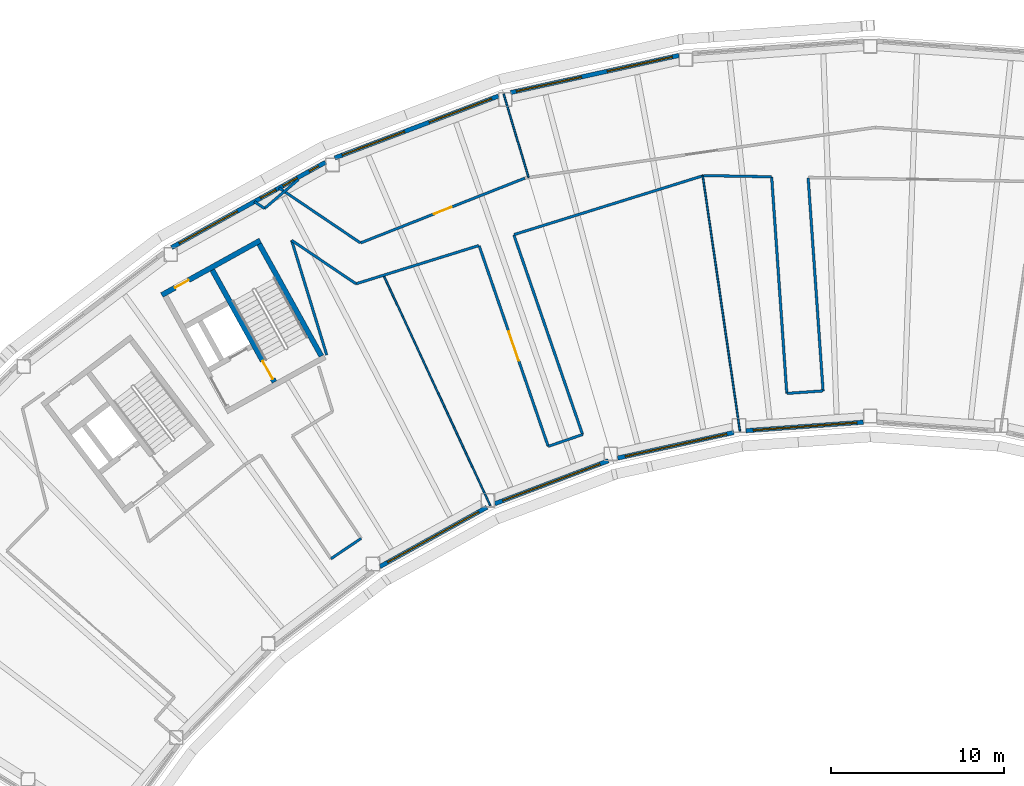
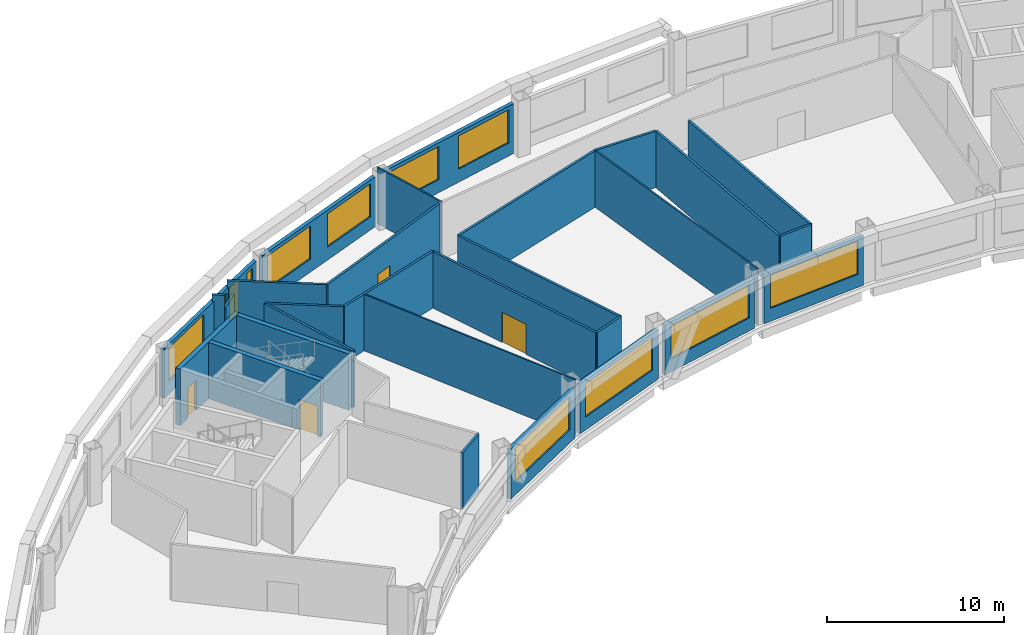
# One storey, part 6 of 13: 29 walls, 12 windows, 4 doors, 16 openings.
"""IFC4 building model written with IfcOpenShell, lengths in metres."""

import ifcopenshell
import ifcopenshell.guid

model = None  # the IFC model being written
_history = None  # IfcOwnerHistory: only IFC2X3 demands one
_inside = {}  # id of a spatial element -> (the spatial element, [elements in it])
_under = {}  # id of a project, library or spatial element -> (it, [spatial elements below it])
_declared = {}  # id of a project -> (the project, [libraries it declares])
_typed = {}  # id of a type object -> (the type object, [elements of that type])
_made_of = {}  # id of a material, layer set ... -> (it, [elements and type objects made of it])


def new_model(schema):
    """Start an empty IFC model of exactly this schema.

    Asked for "IFC4X3", IfcOpenShell would pick the latest addendum, in which some entities
    have other attributes; the version numbers below select the first issue.
    IFC2X3 requires an IfcOwnerHistory on every rooted entity: one is made here for all.
    """
    global model, _history
    if schema == "IFC4X3":
        model = ifcopenshell.file(schema_version=(4, 3, 0, 0))
    else:
        model = ifcopenshell.file(schema=schema)
    _inside.clear()
    _under.clear()
    _declared.clear()
    _typed.clear()
    _made_of.clear()
    _history = None
    if model.schema == "IFC2X3":
        org = make("IfcOrganization", Name="unknown")
        user = make(
            "IfcPersonAndOrganization",
            ThePerson=make("IfcPerson", FamilyName="unknown"),
            TheOrganization=org,
        )
        app = make(
            "IfcApplication",
            ApplicationDeveloper=org,
            Version="unknown",
            ApplicationFullName="unknown",
            ApplicationIdentifier="unknown",
        )
        _history = make(
            "IfcOwnerHistory",
            OwningUser=user,
            OwningApplication=app,
            ChangeAction="ADDED",
            CreationDate=0,
        )
    return model


def make(cls, **values):
    """One entity of the class cls with the attributes given. An attribute that is None is left unset."""
    return model.create_entity(
        cls, **{name: value for name, value in values.items() if value is not None}
    )


def rooted(cls, **values):
    """An entity with a GlobalId (a new one), such as an element, a storey or a relation."""
    return make(cls, GlobalId=ifcopenshell.guid.new(), OwnerHistory=_history, **values)


def si_unit(unit_type, name, prefix=None):
    """IfcSIUnit, for example si_unit("LENGTHUNIT", "METRE", prefix="MILLI")."""
    return make("IfcSIUnit", UnitType=unit_type, Prefix=prefix, Name=name)


def assignment(units):
    """IfcUnitAssignment: the units of a project."""
    return None if units is None else make("IfcUnitAssignment", Units=units)


def point(xyz):
    """IfcCartesianPoint."""
    return None if xyz is None else make("IfcCartesianPoint", Coordinates=xyz)


def direction(xyz):
    """IfcDirection."""
    return None if xyz is None else make("IfcDirection", DirectionRatios=xyz)


def frame(location, z_axis=None, x_axis=None):
    """IfcAxis2Placement3D, a coordinate frame: its origin and axes. An axis left out is left unset."""
    return make(
        "IfcAxis2Placement3D",
        Location=point(location),
        Axis=direction(z_axis),
        RefDirection=direction(x_axis),
    )


def frame_2d(location, x_axis=None):
    """IfcAxis2Placement2D, a coordinate frame in the plane: its origin and x axis."""
    return make(
        "IfcAxis2Placement2D", Location=point(location), RefDirection=direction(x_axis)
    )


def origin():
    """The frame at (0, 0, 0) with its axes left unset."""
    return frame((0.0, 0.0, 0.0))


def place(relative_to, where):
    """IfcLocalPlacement: puts the frame where relative to a parent placement (None: the world)."""
    return make(
        "IfcLocalPlacement", PlacementRelTo=relative_to, RelativePlacement=where
    )


def context(
    kind, dimensions, precision=None, world=None, true_north=None, identifier=None
):
    """IfcGeometricRepresentationContext, for example the 3D "Model" context."""
    return make(
        "IfcGeometricRepresentationContext",
        ContextIdentifier=identifier,
        ContextType=kind,
        CoordinateSpaceDimension=dimensions,
        Precision=precision,
        WorldCoordinateSystem=world,
        TrueNorth=true_north,
    )


def subcontext(parent, identifier, kind, view, scale=None):
    """IfcGeometricRepresentationSubContext, for example "Body" below "Model"."""
    return make(
        "IfcGeometricRepresentationSubContext",
        ContextIdentifier=identifier,
        ContextType=kind,
        ParentContext=parent,
        TargetScale=scale,
        TargetView=view,
    )


def project(units=None, contexts=None):
    """IfcProject with its units and contexts."""
    return rooted(
        "IfcProject",
        Name="project",
        RepresentationContexts=contexts,
        UnitsInContext=assignment(units),
    )


def spatial(cls, under=None, at=None, **own):
    """A site, building, storey or space (cls), placed at a placement, below another one or the project."""
    s = rooted(cls, ObjectPlacement=at, **own)
    if under is not None:
        _under.setdefault(under.id(), (under, []))[1].append(s)
    return s


def profile(cls, at=None, kind="AREA", **sizes):
    """A parametric profile (cls). Its sizes go by their IFC names, for example OverallWidth=200.0."""
    return make(cls, ProfileType=kind, Position=at, **sizes)


def rectangle(**sizes):
    """IfcRectangleProfileDef."""
    return profile("IfcRectangleProfileDef", **sizes)


def extrude(swept, where, along, depth):
    """IfcExtrudedAreaSolid: the profile swept, set in the frame where, extruded along a direction by depth."""
    return make(
        "IfcExtrudedAreaSolid",
        SweptArea=swept,
        Position=where,
        ExtrudedDirection=direction(along),
        Depth=depth,
    )


def shape(context_of_items, identifier, shape_type, items):
    """IfcShapeRepresentation: the items that make up one representation, for example the "Body"."""
    return make(
        "IfcShapeRepresentation",
        ContextOfItems=context_of_items,
        RepresentationIdentifier=identifier,
        RepresentationType=shape_type,
        Items=items,
    )


def material(Name=None, Category=None):
    """IfcMaterial."""
    return make("IfcMaterial", Name=Name, Category=Category)


def layer(
    of_material, thickness, ventilated=None, Name=None, Category=None, Priority=None
):
    """IfcMaterialLayer: one layer of a wall or slab, of a material (None: an air gap)."""
    return make(
        "IfcMaterialLayer",
        Material=of_material,
        LayerThickness=thickness,
        IsVentilated=ventilated,
        Name=Name,
        Category=Category,
        Priority=Priority,
    )


def layer_set(layers, Name=None):
    """IfcMaterialLayerSet."""
    return make("IfcMaterialLayerSet", MaterialLayers=layers, LayerSetName=Name)


def made_of(thing, what):
    """Note that an element or type object is made of a material, layer set ...; save() writes the relation."""
    if what is not None:
        _made_of.setdefault(what.id(), (what, []))[1].append(thing)
    return thing


def type_object(cls, material=None, **own):
    """A type object (cls), such as IfcWallType, which elements share."""
    return made_of(rooted(cls, **own), material)


def element(
    cls,
    number,
    at=None,
    inside=None,
    cuts=None,
    type_object=None,
    material=None,
    context=None,
    identifier="Body",
    shape_type=None,
    held_by="IfcProductDefinitionShape",
    body=None,
    shapes=None,
    **own,
):
    """One element of the class cls, such as IfcWall. Its Tag is "e" and its number.

    at: its placement. inside: the storey or other place that contains it. cuts: it is an
    opening in that element (IfcRelVoidsElement). A single representation is given by context,
    identifier, shape_type and body (its items); several are given by shapes. held_by: the class
    of the entity that holds the representations. save() writes the other relations.
    """
    e = rooted(cls, Tag="e%d" % number, ObjectPlacement=at, **own)
    if body is not None:
        shapes = [shape(context, identifier, shape_type, body)]
    if shapes is not None:
        e.Representation = make(held_by, Representations=shapes)
    if inside is not None:
        _inside.setdefault(inside.id(), (inside, []))[1].append(e)
    if cuts is not None:
        rooted(
            "IfcRelVoidsElement", RelatingBuildingElement=cuts, RelatedOpeningElement=e
        )
    if type_object is not None:
        _typed.setdefault(type_object.id(), (type_object, []))[1].append(e)
    return made_of(e, material)


def fill(opening, filler):
    """IfcRelFillsElement: the door or window that sits in an opening."""
    return rooted(
        "IfcRelFillsElement",
        RelatingOpeningElement=opening,
        RelatedBuildingElement=filler,
    )


def aggregate(whole, parts):
    """IfcRelAggregates: a whole, such as a stair, and the parts it consists of."""
    return rooted("IfcRelAggregates", RelatingObject=whole, RelatedObjects=parts)


def save(model, path):
    """Write the relations noted so far, then the file.

    IfcRelAggregates (storeys below a building ...), IfcRelContainedInSpatialStructure (elements
    in a storey), IfcRelDefinesByType, IfcRelAssociatesMaterial and IfcRelDeclares: one each for
    every whole, place, type object, material and project.
    """
    for whole, parts in _under.values():
        aggregate(whole, parts)
    for where, things in _inside.values():
        rooted(
            "IfcRelContainedInSpatialStructure",
            RelatedElements=things,
            RelatingStructure=where,
        )
    for kind, things in _typed.values():
        rooted("IfcRelDefinesByType", RelatedObjects=things, RelatingType=kind)
    for what, things in _made_of.values():
        rooted("IfcRelAssociatesMaterial", RelatedObjects=things, RelatingMaterial=what)
    for by, libraries in _declared.values():
        rooted("IfcRelDeclares", RelatingContext=by, RelatedDefinitions=libraries)
    model.write(path)


model = new_model("IFC4")

# Units and contexts
model_context = context("Model", 3, precision=1e-05, world=origin(), true_north=direction((0.0, 1.0)))
body_context = subcontext(model_context, "Body", "Model", "MODEL_VIEW")
ifc_project = project(units=[si_unit("LENGTHUNIT", "METRE"), si_unit("AREAUNIT", "SQUARE_METRE"), si_unit("VOLUMEUNIT", "CUBIC_METRE"), si_unit("PLANEANGLEUNIT", "RADIAN"), si_unit("MASSUNIT", "GRAM", prefix="KILO")], contexts=[model_context])

# Site, building, storey
site_placement = place(None, origin())
site = spatial("IfcSite", under=ifc_project, at=site_placement, CompositionType="ELEMENT")
building_placement = place(site_placement, origin())
building = spatial("IfcBuilding", under=site, at=building_placement, Name="Tuul Gate Civic Tower", CompositionType="ELEMENT")
storey_placement = place(building_placement, frame((0.0, 0.0, 306.800048828125)))
storey = spatial("IfcBuildingStorey", under=building, at=storey_placement, Name="Level 69", CompositionType="ELEMENT", Elevation=306.800048828125)

# Wall, opening, door
ifc_material_1 = material(Name="Concrete C50/60", Category="concrete")
ifc_layer_1 = layer(ifc_material_1, 0.300048828125)
ifc_layer_set_1 = layer_set([ifc_layer_1], Name="Concrete C50/60")
wall_type_1 = type_object("IfcWallType", Name="Core wall C50/60", PredefinedType="SHEAR", material=ifc_layer_set_1)
wall_1_placement = place(storey_placement, frame((-28.4443359375, -1.98095703125, 0.0), z_axis=(0.0, 0.0, 1.0), x_axis=(-0.874629909008, -0.484791215132, 0.0)))
wall_1 = element("IfcWall", 1, at=wall_1_placement, inside=storey, type_object=wall_type_1, Name="Core wall", PredefinedType="SHEAR", context=body_context, shape_type="SweptSolid", body=[
    extrude(rectangle(XDim=6.5, YDim=0.300048828125, at=frame_2d((3.25, 0.0))), origin(), (0.0, 0.0, 1.0), 3.89990234375),
])
opening_1_placement = place(wall_1_placement, frame((4.72509765625, 0.0, 0.0)))
opening_1 = element("IfcOpeningElement", 2, at=opening_1_placement, cuts=wall_1, Name="Opening Z-D15", PredefinedType="OPENING", context=body_context, shape_type="SweptSolid", body=[
    extrude(rectangle(XDim=0.89990234375, YDim=2.10009765625, at=frame_2d((0.449951171875, 1.050048828125))), frame((0.0, 0.16015625, 0.0), z_axis=(0.0, -1.0, 0.0), x_axis=(1.0, 0.0, 0.0)), (0.0, 0.0, 1.0), 0.320068359375),
])
ifc_material_2 = material(Name="Timber door leaf", Category="wood")
door_type_1 = type_object("IfcDoorType", Name="Door D09", OperationType="NOTDEFINED", PredefinedType="DOOR", material=ifc_material_2)
door_1_placement = place(opening_1_placement, origin())
door_1 = element("IfcDoor", 3, at=door_1_placement, inside=storey, type_object=door_type_1, Name="Door Z-D15", OperationType="SINGLE_SWING_LEFT", OverallHeight=2.10009765625, OverallWidth=0.89990234375, PredefinedType="DOOR", context=body_context, shape_type="SweptSolid", body=[
    extrude(rectangle(XDim=0.89990234375, YDim=2.10009765625, at=frame_2d((0.449951171875, 1.050048828125))), frame((0.0, 0.02490234375, 0.0), z_axis=(0.0, -1.0, 0.0), x_axis=(1.0, 0.0, 0.0)), (0.0, 0.0, 1.0), 0.050048828125),
])
fill(opening_1, door_1)

# Wall
wall_2_placement = place(storey_placement, frame((-24.91552734375, -8.6572265625, 0.0), z_axis=(0.0, 0.0, 1.0), x_axis=(-0.484777133038, 0.874637714304, 0.0)))
element("IfcWall", 4, at=wall_2_placement, inside=storey, type_object=wall_type_1, Name="Core wall", PredefinedType="SHEAR", context=body_context, shape_type="SweptSolid", body=[
    extrude(rectangle(XDim=7.400146484375, YDim=0.300048828125, at=frame_2d((3.7001953125, 0.0))), origin(), (0.0, 0.0, 1.0), 3.89990234375),
])

# Wall, opening, door
wall_3_placement = place(storey_placement, frame((-27.626953125, -10.16015625, 0.0), z_axis=(0.0, 0.0, 1.0), x_axis=(-0.484751894226, 0.874651702704, 0.0)))
wall_3 = element("IfcWall", 5, at=wall_3_placement, inside=storey, type_object=wall_type_1, Name="Core wall", PredefinedType="SHEAR", context=body_context, shape_type="SweptSolid", body=[
    extrude(rectangle(XDim=7.39990234375, YDim=0.300048828125, at=frame_2d((3.699951171875, 0.0))), origin(), (0.0, 0.0, 1.0), 3.89990234375),
])
opening_2_placement = place(wall_3_placement, frame((0.199951171875, 0.0, 0.0)))
opening_2 = element("IfcOpeningElement", 6, at=opening_2_placement, cuts=wall_3, Name="Opening SD-ST-2", PredefinedType="OPENING", context=body_context, shape_type="SweptSolid", body=[
    extrude(rectangle(XDim=1.199951171875, YDim=2.10009765625, at=frame_2d((0.60009765625, 1.050048828125))), frame((0.0, 0.16015625, 0.0), z_axis=(0.0, -1.0, 0.0), x_axis=(1.0, 0.0, 0.0)), (0.0, 0.0, 1.0), 0.320068359375),
])
ifc_material_3 = material(Name="Steel", Category="steel")
door_type_2 = type_object("IfcDoorType", Name="Stair door", OperationType="NOTDEFINED", PredefinedType="DOOR", material=ifc_material_3)
door_2_placement = place(opening_2_placement, origin())
door_2 = element("IfcDoor", 7, at=door_2_placement, inside=storey, type_object=door_type_2, Name="Stair door ST-2", OperationType="SINGLE_SWING_LEFT", OverallHeight=2.10009765625, OverallWidth=1.199951171875, PredefinedType="DOOR", context=body_context, shape_type="SweptSolid", body=[
    extrude(rectangle(XDim=1.199951171875, YDim=2.10009765625, at=frame_2d((0.60009765625, 1.050048828125))), frame((0.0, 0.02490234375, 0.0), z_axis=(0.0, -1.0, 0.0), x_axis=(1.0, 0.0, 0.0)), (0.0, 0.0, 1.0), 0.050048828125),
])
fill(opening_2, door_2)

ifc_material_4 = material(Name="Gypsum board partition")
ifc_layer_2 = layer(ifc_material_4, 0.14990234375)
ifc_layer_set_2 = layer_set([ifc_layer_2], Name="Gypsum board partition")
wall_type_2 = type_object("IfcWallType", Name="Corridor wall P150", PredefinedType="PARTITIONING", material=ifc_layer_set_2)
wall_4_placement = place(storey_placement, frame((-22.64990234375, -2.122802734375, 0.0), z_axis=(0.0, 0.0, 1.0), x_axis=(0.930310979709, 0.366771701515, 0.0)))
wall_4 = element("IfcWall", 8, at=wall_4_placement, inside=storey, type_object=wall_type_2, Name="p020", PredefinedType="PARTITIONING", context=body_context, shape_type="SweptSolid", body=[
    extrude(rectangle(XDim=10.207763671875, YDim=0.14990234375, at=frame_2d((5.10400390625, 0.0))), origin(), (0.0, 0.0, 1.0), 3.89990234375),
])
opening_3_placement = place(wall_4_placement, frame((4.5537109375, 0.0, 0.0)))
opening_3 = element("IfcOpeningElement", 9, at=opening_3_placement, cuts=wall_4, Name="Opening Z-D04", PredefinedType="OPENING", context=body_context, shape_type="SweptSolid", body=[
    extrude(rectangle(XDim=1.10009765625, YDim=2.10009765625, at=frame_2d((0.550048828125, 1.050048828125))), frame((0.0, 0.0849609375, 0.0), z_axis=(0.0, -1.0, 0.0), x_axis=(1.0, 0.0, 0.0)), (0.0, 0.0, 1.0), 0.169921875),
])
ifc_material_5 = material(Name="Timber door leaf", Category="wood")
door_type_3 = type_object("IfcDoorType", Name="Door D11", OperationType="NOTDEFINED", PredefinedType="DOOR", material=ifc_material_5)
door_3_placement = place(opening_3_placement, origin())
door_3 = element("IfcDoor", 10, at=door_3_placement, inside=storey, type_object=door_type_3, Name="Door Z-D04", OperationType="SINGLE_SWING_RIGHT", OverallHeight=2.10009765625, OverallWidth=1.10009765625, PredefinedType="DOOR", context=body_context, shape_type="SweptSolid", body=[
    extrude(rectangle(XDim=1.10009765625, YDim=2.10009765625, at=frame_2d((0.550048828125, 1.050048828125))), frame((0.0, 0.02490234375, 0.0), z_axis=(0.0, -1.0, 0.0), x_axis=(1.0, 0.0, 0.0)), (0.0, 0.0, 1.0), 0.050048828125),
])
fill(opening_3, door_3)

# Walls
wall_5_placement = place(storey_placement, frame((-27.357421875, 1.0546875, 0.0), z_axis=(0.0, 0.0, 1.0), x_axis=(0.828352810299, -0.56020676689, 0.0)))
element("IfcWall", 11, at=wall_5_placement, inside=storey, type_object=wall_type_2, Name="p021", PredefinedType="PARTITIONING", context=body_context, shape_type="SweptSolid", body=[
    extrude(rectangle(XDim=5.666015625, YDim=0.14990234375, at=frame_2d((2.8330078125, 0.0))), origin(), (0.0, 0.0, 1.0), 3.89990234375),
])
wall_6_placement = place(storey_placement, frame((-28.78466796875, 0.263427734375, 0.0), z_axis=(0.0, 0.0, 1.0), x_axis=(0.828259849194, -0.560344199767, 0.0)))
element("IfcWall", 12, at=wall_6_placement, inside=storey, type_object=wall_type_2, Name="p023", PredefinedType="PARTITIONING", context=body_context, shape_type="SweptSolid", body=[
    extrude(rectangle(XDim=0.70703125, YDim=0.14990234375, at=frame_2d((0.353515625, 0.0))), origin(), (0.0, 0.0, 1.0), 3.89990234375),
])
wall_7_placement = place(storey_placement, frame((-2.833740234375, 1.76611328125, 0.0), z_axis=(0.0, 0.0, 1.0), x_axis=(0.999840599345, -0.017854296417, 0.0)))
element("IfcWall", 13, at=wall_7_placement, inside=storey, type_object=wall_type_2, Name="p037", PredefinedType="PARTITIONING", context=body_context, shape_type="SweptSolid", body=[
    extrude(rectangle(XDim=3.910888671875, YDim=0.14990234375, at=frame_2d((1.95556640625, 0.0))), origin(), (0.0, 0.0, 1.0), 3.89990234375),
])
wall_8_placement = place(storey_placement, frame((-22.914306640625, -4.485107421875, 0.0), z_axis=(0.0, 0.0, 1.0), x_axis=(0.95478316179, 0.29730306753, 0.0)))
element("IfcWall", 14, at=wall_8_placement, inside=storey, type_object=wall_type_2, Name="p046", PredefinedType="PARTITIONING", context=body_context, shape_type="SweptSolid", body=[
    extrude(rectangle(XDim=7.42431640625, YDim=0.14990234375, at=frame_2d((3.712158203125, 0.0))), origin(), (0.0, 0.0, 1.0), 3.89990234375),
])
wall_9_placement = place(storey_placement, frame((-13.780517578125, -1.64111328125, 0.0), z_axis=(0.0, 0.0, 1.0), x_axis=(0.954785829925, 0.29729449873, 0.0)))
element("IfcWall", 15, at=wall_9_placement, inside=storey, type_object=wall_type_2, Name="p047", PredefinedType="PARTITIONING", context=body_context, shape_type="SweptSolid", body=[
    extrude(rectangle(XDim=11.45751953125, YDim=0.14990234375, at=frame_2d((5.728759765625, 0.0))), origin(), (0.0, 0.0, 1.0), 3.89990234375),
])
wall_10_placement = place(storey_placement, frame((1.096435546875, 1.67724609375, 0.0), z_axis=(0.0, 0.0, 1.0), x_axis=(0.069752110832, -0.997564355335, 0.0)))
element("IfcWall", 16, at=wall_10_placement, inside=storey, type_object=wall_type_2, Name="p048", PredefinedType="PARTITIONING", context=body_context, shape_type="SweptSolid", body=[
    extrude(rectangle(XDim=12.5234375, YDim=0.14990234375, at=frame_2d((6.26171875, 0.0))), origin(), (0.0, 0.0, 1.0), 3.89990234375),
])
wall_11_placement = place(storey_placement, frame((1.970703125, -10.81640625, 0.0), z_axis=(0.0, 0.0, 1.0), x_axis=(0.997560992634, 0.069800186073, 0.0)))
element("IfcWall", 17, at=wall_11_placement, inside=storey, type_object=wall_type_2, Name="p049", PredefinedType="PARTITIONING", context=body_context, shape_type="SweptSolid", body=[
    extrude(rectangle(XDim=2.0986328125, YDim=0.14990234375, at=frame_2d((1.04931640625, 0.0))), origin(), (0.0, 0.0, 1.0), 3.89990234375),
])
wall_12_placement = place(storey_placement, frame((3.204345703125, 1.635986328125, 0.0), z_axis=(0.0, 0.0, 1.0), x_axis=(0.069767283292, -0.997563294324, 0.0)))
element("IfcWall", 18, at=wall_12_placement, inside=storey, type_object=wall_type_2, Name="p050", PredefinedType="PARTITIONING", context=body_context, shape_type="SweptSolid", body=[
    extrude(rectangle(XDim=12.335205078125, YDim=0.14990234375, at=frame_2d((6.16748046875, 0.0))), origin(), (0.0, 0.0, 1.0), 3.89990234375),
])

# Wall, opening, door
wall_13_placement = place(storey_placement, frame((-15.800048828125, -2.290771484375, 0.0), z_axis=(0.0, 0.0, 1.0), x_axis=(0.325574272281, -0.945516469041, 0.0)))
wall_13 = element("IfcWall", 19, at=wall_13_placement, inside=storey, type_object=wall_type_2, Name="p052", PredefinedType="PARTITIONING", context=body_context, shape_type="SweptSolid", body=[
    extrude(rectangle(XDim=12.25146484375, YDim=0.14990234375, at=frame_2d((6.125732421875, 0.0))), origin(), (0.0, 0.0, 1.0), 3.89990234375),
])
opening_4_placement = place(wall_13_placement, frame((5.225830078125, 0.0, 0.0)))
opening_4 = element("IfcOpeningElement", 20, at=opening_4_placement, cuts=wall_13, Name="Opening Z-D09", PredefinedType="OPENING", context=body_context, shape_type="SweptSolid", body=[
    extrude(rectangle(XDim=1.800048828125, YDim=2.10009765625, at=frame_2d((0.89990234375, 1.050048828125))), frame((0.0, 0.0849609375, 0.0), z_axis=(0.0, -1.0, 0.0), x_axis=(1.0, 0.0, 0.0)), (0.0, 0.0, 1.0), 0.169921875),
])
ifc_material_6 = material(Name="Timber door leaf, double", Category="wood")
door_type_4 = type_object("IfcDoorType", Name="Door D18", OperationType="DOUBLE_DOOR_SINGLE_SWING", PredefinedType="DOOR", material=ifc_material_6)
door_4_placement = place(opening_4_placement, frame((1.800048828125, 0.0, 0.0), z_axis=(0.0, 0.0, 1.0), x_axis=(-1.0, 0.0, 0.0)))
door_4 = element("IfcDoor", 21, at=door_4_placement, inside=storey, type_object=door_type_4, Name="Door Z-D09", OperationType="DOUBLE_DOOR_SINGLE_SWING", OverallHeight=2.10009765625, OverallWidth=1.800048828125, PredefinedType="DOOR", context=body_context, shape_type="SweptSolid", body=[
    extrude(rectangle(XDim=1.800048828125, YDim=2.10009765625, at=frame_2d((0.900146484375, 1.050048828125))), frame((0.0, 0.02490234375, 0.0), z_axis=(0.0, -1.0, 0.0), x_axis=(1.0, 0.0, 0.0)), (0.0, 0.0, 1.0), 0.050048828125),
])
fill(opening_4, door_4)

# Walls
wall_14_placement = place(storey_placement, frame((-11.810546875, -13.875244140625, 0.0), z_axis=(0.0, 0.0, 1.0), x_axis=(0.945531128313, 0.325531696446, 0.0)))
element("IfcWall", 22, at=wall_14_placement, inside=storey, type_object=wall_type_2, Name="p053", PredefinedType="PARTITIONING", context=body_context, shape_type="SweptSolid", body=[
    extrude(rectangle(XDim=2.098388671875, YDim=0.14990234375, at=frame_2d((1.04931640625, 0.0))), origin(), (0.0, 0.0, 1.0), 3.89990234375),
])
wall_15_placement = place(storey_placement, frame((-13.793701171875, -1.667236328125, 0.0), z_axis=(0.0, 0.0, 1.0), x_axis=(0.325569014001, -0.945518279634, 0.0)))
element("IfcWall", 23, at=wall_15_placement, inside=storey, type_object=wall_type_2, Name="p054", PredefinedType="PARTITIONING", context=body_context, shape_type="SweptSolid", body=[
    extrude(rectangle(XDim=12.18798828125, YDim=0.14990234375, at=frame_2d((6.093994140625, 0.0))), origin(), (0.0, 0.0, 1.0), 3.89990234375),
])
wall_16_placement = place(storey_placement, frame((-24.359375, -20.3662109375, 0.0), z_axis=(0.0, 0.0, 1.0), x_axis=(0.829033273432, 0.559199277129, 0.0)))
element("IfcWall", 24, at=wall_16_placement, inside=storey, type_object=wall_type_2, Name="p061", PredefinedType="PARTITIONING", context=body_context, shape_type="SweptSolid", body=[
    extrude(rectangle(XDim=2.10009765625, YDim=0.14990234375, at=frame_2d((1.050048828125, 0.0))), origin(), (0.0, 0.0, 1.0), 3.89990234375),
])
wall_17_placement = place(storey_placement, frame((-26.630615234375, -1.971923828125, 0.0), z_axis=(0.0, 0.0, 1.0), x_axis=(0.292375127698, -0.956303709448, 0.0)))
element("IfcWall", 25, at=wall_17_placement, inside=storey, type_object=wall_type_2, Name="p064", PredefinedType="PARTITIONING", context=body_context, shape_type="SweptSolid", body=[
    extrude(rectangle(XDim=6.931640625, YDim=0.14990234375, at=frame_2d((3.4658203125, 0.0))), origin(), (0.0, 0.0, 1.0), 3.89990234375),
])
wall_18_placement = place(storey_placement, frame((-26.630615234375, -1.971923828125, 0.0), z_axis=(0.0, 0.0, 1.0), x_axis=(0.828348035042, -0.560213827785, 0.0)))
element("IfcWall", 26, at=wall_18_placement, inside=storey, type_object=wall_type_2, Name="p065", PredefinedType="PARTITIONING", context=body_context, shape_type="SweptSolid", body=[
    extrude(rectangle(XDim=4.486083984375, YDim=0.14990234375, at=frame_2d((2.2431640625, 0.0))), origin(), (0.0, 0.0, 1.0), 3.89990234375),
])
ifc_material_7 = material(Name="Gypsum board partition")
ifc_layer_3 = layer(ifc_material_7, 0.14990234375)
ifc_layer_set_3 = layer_set([ifc_layer_3], Name="Gypsum board partition")
wall_type_3 = type_object("IfcWallType", Name="Corridor wall P150 3000 HIGH", PredefinedType="PARTITIONING", material=ifc_layer_set_3)
wall_19_placement = place(storey_placement, frame((-28.198974609375, -0.1328125, 0.0), z_axis=(0.0, 0.0, 1.0), x_axis=(0.760617168341, 0.64920068024, 0.0)))
element("IfcWall", 27, at=wall_19_placement, inside=storey, type_object=wall_type_3, Name="p022", PredefinedType="PARTITIONING", context=body_context, shape_type="SweptSolid", body=[
    extrude(rectangle(XDim=2.568115234375, YDim=0.14990234375, at=frame_2d((1.2841796875, 0.0))), origin(), (0.0, 0.0, 1.0), 3.0),
])

# Wall, openings, windows
ifc_material_8 = material(Name="Precast concrete C40/50", Category="concrete")
ifc_layer_4 = layer(ifc_material_8, 0.25)
ifc_layer_set_4 = layer_set([ifc_layer_4], Name="Precast concrete C40/50")
wall_type_4 = type_object("IfcWallType", Name="External wall", PredefinedType="STANDARD", material=ifc_layer_set_4)
wall_20_placement = place(storey_placement, frame((-4.260986328125, 8.705078125, 0.0), z_axis=(0.0, 0.0, 1.0), x_axis=(-0.976568573814, -0.215206460496, 0.0)))
wall_20 = element("IfcWall", 28, at=wall_20_placement, inside=storey, type_object=wall_type_4, Name="External wall", PredefinedType="STANDARD", context=body_context, shape_type="SweptSolid", body=[
    extrude(rectangle(XDim=9.958251953125, YDim=0.25, at=frame_2d((4.97900390625, 0.0))), origin(), (0.0, 0.0, 1.0), 3.449951171875),
])
opening_5_placement = place(wall_20_placement, frame((0.39013671875, 0.0, 0.89990234375)))
opening_5 = element("IfcOpeningElement", 29, at=opening_5_placement, cuts=wall_20, Name="Opening W22", PredefinedType="OPENING", context=body_context, shape_type="SweptSolid", body=[
    extrude(rectangle(XDim=3.85009765625, YDim=2.300048828125, at=frame_2d((1.925048828125, 1.14990234375))), frame((0.0, 0.135009765625, 0.0), z_axis=(0.0, -1.0, 0.0), x_axis=(1.0, 0.0, 0.0)), (0.0, 0.0, 1.0), 0.27001953125),
])
opening_6_placement = place(wall_20_placement, frame((5.761474609375, 0.0, 0.89990234375)))
opening_6 = element("IfcOpeningElement", 30, at=opening_6_placement, cuts=wall_20, Name="Opening W22", PredefinedType="OPENING", context=body_context, shape_type="SweptSolid", body=[
    extrude(rectangle(XDim=3.85009765625, YDim=2.300048828125, at=frame_2d((1.925048828125, 1.14990234375))), frame((0.0, 0.135009765625, 0.0), z_axis=(0.0, -1.0, 0.0), x_axis=(1.0, 0.0, 0.0)), (0.0, 0.0, 1.0), 0.27001953125),
])
ifc_material_9 = material(Name="Glass", Category="glass")
window_type_1 = type_object("IfcWindowType", Name="Window W22 3850 x 2300", PartitioningType="SINGLE_PANEL", PredefinedType="WINDOW", material=ifc_material_9)
window_1_placement = place(opening_5_placement, origin())
window_1 = element("IfcWindow", 31, at=window_1_placement, inside=storey, type_object=window_type_1, Name="Window", OverallHeight=2.300048828125, OverallWidth=3.85009765625, PartitioningType="SINGLE_PANEL", PredefinedType="WINDOW", context=body_context, shape_type="SweptSolid", body=[
    extrude(rectangle(XDim=3.85009765625, YDim=2.300048828125, at=frame_2d((1.925048828125, 1.14990234375))), frame((0.0, 0.030029296875, 0.0), z_axis=(0.0, -1.0, 0.0), x_axis=(1.0, 0.0, 0.0)), (0.0, 0.0, 1.0), 0.06005859375),
])
fill(opening_5, window_1)
window_2_placement = place(opening_6_placement, origin())
window_2 = element("IfcWindow", 32, at=window_2_placement, inside=storey, type_object=window_type_1, Name="Window", OverallHeight=2.300048828125, OverallWidth=3.85009765625, PartitioningType="SINGLE_PANEL", PredefinedType="WINDOW", context=body_context, shape_type="SweptSolid", body=[
    extrude(rectangle(XDim=3.85009765625, YDim=2.300048828125, at=frame_2d((1.925048828125, 1.14990234375))), frame((0.0, 0.030029296875, 0.0), z_axis=(0.0, -1.0, 0.0), x_axis=(1.0, 0.0, 0.0)), (0.0, 0.0, 1.0), 0.06005859375),
])
fill(opening_6, window_2)

wall_21_placement = place(storey_placement, frame((-14.68798828125, 6.35888671875, 0.0), z_axis=(0.0, 0.0, 1.0), x_axis=(-0.9353443931, -0.353738415071, 0.0)))
wall_21 = element("IfcWall", 33, at=wall_21_placement, inside=storey, type_object=wall_type_4, Name="External wall", PredefinedType="STANDARD", context=body_context, shape_type="SweptSolid", body=[
    extrude(rectangle(XDim=10.103515625, YDim=0.25, at=frame_2d((5.0517578125, 0.0))), origin(), (0.0, 0.0, 1.0), 3.449951171875),
])
opening_7_placement = place(wall_21_placement, frame((0.423583984375, 0.0, 0.89990234375)))
opening_7 = element("IfcOpeningElement", 34, at=opening_7_placement, cuts=wall_21, Name="Opening W22", PredefinedType="OPENING", context=body_context, shape_type="SweptSolid", body=[
    extrude(rectangle(XDim=3.85009765625, YDim=2.300048828125, at=frame_2d((1.925048828125, 1.14990234375))), frame((0.0, 0.135009765625, 0.0), z_axis=(0.0, -1.0, 0.0), x_axis=(1.0, 0.0, 0.0)), (0.0, 0.0, 1.0), 0.27001953125),
])
opening_8_placement = place(wall_21_placement, frame((5.794921875, 0.0, 0.89990234375)))
opening_8 = element("IfcOpeningElement", 35, at=opening_8_placement, cuts=wall_21, Name="Opening W22", PredefinedType="OPENING", context=body_context, shape_type="SweptSolid", body=[
    extrude(rectangle(XDim=3.85009765625, YDim=2.300048828125, at=frame_2d((1.925048828125, 1.14990234375))), frame((0.0, 0.135009765625, 0.0), z_axis=(0.0, -1.0, 0.0), x_axis=(1.0, 0.0, 0.0)), (0.0, 0.0, 1.0), 0.27001953125),
])
window_3_placement = place(opening_7_placement, origin())
window_3 = element("IfcWindow", 36, at=window_3_placement, inside=storey, type_object=window_type_1, Name="Window", OverallHeight=2.300048828125, OverallWidth=3.85009765625, PartitioningType="SINGLE_PANEL", PredefinedType="WINDOW", context=body_context, shape_type="SweptSolid", body=[
    extrude(rectangle(XDim=3.85009765625, YDim=2.300048828125, at=frame_2d((1.925048828125, 1.14990234375))), frame((0.0, 0.030029296875, 0.0), z_axis=(0.0, -1.0, 0.0), x_axis=(1.0, 0.0, 0.0)), (0.0, 0.0, 1.0), 0.06005859375),
])
fill(opening_7, window_3)
window_4_placement = place(opening_8_placement, origin())
window_4 = element("IfcWindow", 37, at=window_4_placement, inside=storey, type_object=window_type_1, Name="Window", OverallHeight=2.300048828125, OverallWidth=3.85009765625, PartitioningType="SINGLE_PANEL", PredefinedType="WINDOW", context=body_context, shape_type="SweptSolid", body=[
    extrude(rectangle(XDim=3.85009765625, YDim=2.300048828125, at=frame_2d((1.925048828125, 1.14990234375))), frame((0.0, 0.030029296875, 0.0), z_axis=(0.0, -1.0, 0.0), x_axis=(1.0, 0.0, 0.0)), (0.0, 0.0, 1.0), 0.06005859375),
])
fill(opening_8, window_4)

wall_22_placement = place(storey_placement, frame((-24.676025390625, 2.53515625, 0.0), z_axis=(0.0, 0.0, 1.0), x_axis=(-0.874624927255, -0.484800202789, 0.0)))
wall_22 = element("IfcWall", 38, at=wall_22_placement, inside=storey, type_object=wall_type_4, Name="External wall", PredefinedType="STANDARD", context=body_context, shape_type="SweptSolid", body=[
    extrude(rectangle(XDim=10.161376953125, YDim=0.25, at=frame_2d((5.08056640625, 0.0))), origin(), (0.0, 0.0, 1.0), 3.449951171875),
])
opening_9_placement = place(wall_22_placement, frame((5.821533203125, 0.0, 0.89990234375)))
opening_9 = element("IfcOpeningElement", 39, at=opening_9_placement, cuts=wall_22, Name="Opening W22", PredefinedType="OPENING", context=body_context, shape_type="SweptSolid", body=[
    extrude(rectangle(XDim=3.85009765625, YDim=2.300048828125, at=frame_2d((1.925048828125, 1.14990234375))), frame((0.0, 0.135009765625, 0.0), z_axis=(0.0, -1.0, 0.0), x_axis=(1.0, 0.0, 0.0)), (0.0, 0.0, 1.0), 0.27001953125),
])
opening_10_placement = place(wall_22_placement, frame((3.281494140625, 0.0, 0.89990234375)))
opening_10 = element("IfcOpeningElement", 40, at=opening_10_placement, cuts=wall_22, Name="Opening W57", PredefinedType="OPENING", context=body_context, shape_type="SweptSolid", body=[
    extrude(rectangle(XDim=1.0, YDim=2.300048828125, at=frame_2d((0.5, 1.14990234375))), frame((0.0, 0.135009765625, 0.0), z_axis=(0.0, -1.0, 0.0), x_axis=(1.0, 0.0, 0.0)), (0.0, 0.0, 1.0), 0.27001953125),
])
opening_11_placement = place(wall_22_placement, frame((0.46337890625, 0.0, 0.89990234375)))
opening_11 = element("IfcOpeningElement", 41, at=opening_11_placement, cuts=wall_22, Name="Opening W35", PredefinedType="OPENING", context=body_context, shape_type="SweptSolid", body=[
    extrude(rectangle(XDim=0.60009765625, YDim=2.300048828125, at=frame_2d((0.300048828125, 1.14990234375))), frame((0.0, 0.135009765625, 0.0), z_axis=(0.0, -1.0, 0.0), x_axis=(1.0, 0.0, 0.0)), (0.0, 0.0, 1.0), 0.27001953125),
])
opening_12_placement = place(wall_22_placement, frame((1.868896484375, 0.0, 0.89990234375)))
opening_12 = element("IfcOpeningElement", 42, at=opening_12_placement, cuts=wall_22, Name="Opening W71", PredefinedType="OPENING", context=body_context, shape_type="SweptSolid", body=[
    extrude(rectangle(XDim=0.949951171875, YDim=2.300048828125, at=frame_2d((0.47509765625, 1.14990234375))), frame((0.0, 0.135009765625, 0.0), z_axis=(0.0, -1.0, 0.0), x_axis=(1.0, 0.0, 0.0)), (0.0, 0.0, 1.0), 0.27001953125),
])
ifc_material_10 = material(Name="Glass", Category="glass")
window_type_2 = type_object("IfcWindowType", Name="Window 1000 x 2300", PartitioningType="SINGLE_PANEL", PredefinedType="WINDOW", material=ifc_material_10)
window_5_placement = place(opening_10_placement, origin())
window_5 = element("IfcWindow", 43, at=window_5_placement, inside=storey, type_object=window_type_2, Name="Window", OverallHeight=2.300048828125, OverallWidth=1.0, PartitioningType="SINGLE_PANEL", PredefinedType="WINDOW", context=body_context, shape_type="SweptSolid", body=[
    extrude(rectangle(XDim=1.0, YDim=2.300048828125, at=frame_2d((0.5, 1.14990234375))), frame((0.0, 0.030029296875, 0.0), z_axis=(0.0, -1.0, 0.0), x_axis=(1.0, 0.0, 0.0)), (0.0, 0.0, 1.0), 0.06005859375),
])
fill(opening_10, window_5)
ifc_material_11 = material(Name="Glass", Category="glass")
window_type_3 = type_object("IfcWindowType", Name="Window 600 x 2300", PartitioningType="SINGLE_PANEL", PredefinedType="WINDOW", material=ifc_material_11)
window_6_placement = place(opening_11_placement, origin())
window_6 = element("IfcWindow", 44, at=window_6_placement, inside=storey, type_object=window_type_3, Name="Window", OverallHeight=2.300048828125, OverallWidth=0.60009765625, PartitioningType="SINGLE_PANEL", PredefinedType="WINDOW", context=body_context, shape_type="SweptSolid", body=[
    extrude(rectangle(XDim=0.60009765625, YDim=2.300048828125, at=frame_2d((0.300048828125, 1.14990234375))), frame((0.0, 0.030029296875, 0.0), z_axis=(0.0, -1.0, 0.0), x_axis=(1.0, 0.0, 0.0)), (0.0, 0.0, 1.0), 0.06005859375),
])
fill(opening_11, window_6)
ifc_material_12 = material(Name="Glass", Category="glass")
window_type_4 = type_object("IfcWindowType", Name="Window 950 x 2300", PartitioningType="SINGLE_PANEL", PredefinedType="WINDOW", material=ifc_material_12)
window_7_placement = place(opening_12_placement, origin())
window_7 = element("IfcWindow", 45, at=window_7_placement, inside=storey, type_object=window_type_4, Name="Window", OverallHeight=2.300048828125, OverallWidth=0.949951171875, PartitioningType="SINGLE_PANEL", PredefinedType="WINDOW", context=body_context, shape_type="SweptSolid", body=[
    extrude(rectangle(XDim=0.949951171875, YDim=2.300048828125, at=frame_2d((0.47509765625, 1.14990234375))), frame((0.0, 0.030029296875, 0.0), z_axis=(0.0, -1.0, 0.0), x_axis=(1.0, 0.0, 0.0)), (0.0, 0.0, 1.0), 0.06005859375),
])
fill(opening_12, window_7)
window_8_placement = place(opening_9_placement, origin())
window_8 = element("IfcWindow", 46, at=window_8_placement, inside=storey, type_object=window_type_1, Name="Window", OverallHeight=2.300048828125, OverallWidth=3.85009765625, PartitioningType="SINGLE_PANEL", PredefinedType="WINDOW", context=body_context, shape_type="SweptSolid", body=[
    extrude(rectangle(XDim=3.85009765625, YDim=2.300048828125, at=frame_2d((1.925048828125, 1.14990234375))), frame((0.0, 0.030029296875, 0.0), z_axis=(0.0, -1.0, 0.0), x_axis=(1.0, 0.0, 0.0)), (0.0, 0.0, 1.0), 0.06005859375),
])
fill(opening_9, window_8)

# Wall, opening, window
wall_23_placement = place(storey_placement, frame((-21.5380859375, -20.82177734375, 0.0), z_axis=(0.0, 0.0, 1.0), x_axis=(0.874625686175, 0.484798833625, 0.0)))
wall_23 = element("IfcWall", 47, at=wall_23_placement, inside=storey, type_object=wall_type_4, Name="External wall", PredefinedType="STANDARD", context=body_context, shape_type="SweptSolid", body=[
    extrude(rectangle(XDim=7.074462890625, YDim=0.25, at=frame_2d((3.537109375, 0.0))), origin(), (0.0, 0.0, 1.0), 3.449951171875),
])
opening_13_placement = place(wall_23_placement, frame((0.51806640625, 0.0, 0.89990234375)))
opening_13 = element("IfcOpeningElement", 48, at=opening_13_placement, cuts=wall_23, Name="Opening W26", PredefinedType="OPENING", context=body_context, shape_type="SweptSolid", body=[
    extrude(rectangle(XDim=6.0, YDim=2.300048828125, at=frame_2d((3.0, 1.14990234375))), frame((0.0, 0.135009765625, 0.0), z_axis=(0.0, -1.0, 0.0), x_axis=(1.0, 0.0, 0.0)), (0.0, 0.0, 1.0), 0.27001953125),
])
ifc_material_13 = material(Name="Glass", Category="glass")
window_type_5 = type_object("IfcWindowType", Name="Window W26 6000 x 2300", PartitioningType="SINGLE_PANEL", PredefinedType="WINDOW", material=ifc_material_13)
window_9_placement = place(opening_13_placement, origin())
window_9 = element("IfcWindow", 49, at=window_9_placement, inside=storey, type_object=window_type_5, Name="Window", OverallHeight=2.300048828125, OverallWidth=6.0, PartitioningType="SINGLE_PANEL", PredefinedType="WINDOW", context=body_context, shape_type="SweptSolid", body=[
    extrude(rectangle(XDim=6.0, YDim=2.300048828125, at=frame_2d((3.0, 1.14990234375))), frame((0.0, 0.030029296875, 0.0), z_axis=(0.0, -1.0, 0.0), x_axis=(1.0, 0.0, 0.0)), (0.0, 0.0, 1.0), 0.06005859375),
])
fill(opening_13, window_9)

wall_24_placement = place(storey_placement, frame((-14.89794921875, -17.1875, 0.0), z_axis=(0.0, 0.0, 1.0), x_axis=(0.93536719876, 0.35367810716, 0.0)))
wall_24 = element("IfcWall", 50, at=wall_24_placement, inside=storey, type_object=wall_type_4, Name="External wall", PredefinedType="STANDARD", context=body_context, shape_type="SweptSolid", body=[
    extrude(rectangle(XDim=7.013427734375, YDim=0.25, at=frame_2d((3.5068359375, 0.0))), origin(), (0.0, 0.0, 1.0), 3.449951171875),
])
opening_14_placement = place(wall_24_placement, frame((0.490478515625, 0.0, 0.89990234375)))
opening_14 = element("IfcOpeningElement", 51, at=opening_14_placement, cuts=wall_24, Name="Opening W26", PredefinedType="OPENING", context=body_context, shape_type="SweptSolid", body=[
    extrude(rectangle(XDim=6.0, YDim=2.300048828125, at=frame_2d((3.0, 1.14990234375))), frame((0.0, 0.135009765625, 0.0), z_axis=(0.0, -1.0, 0.0), x_axis=(1.0, 0.0, 0.0)), (0.0, 0.0, 1.0), 0.27001953125),
])
window_10_placement = place(opening_14_placement, origin())
window_10 = element("IfcWindow", 52, at=window_10_placement, inside=storey, type_object=window_type_5, Name="Window", OverallHeight=2.300048828125, OverallWidth=6.0, PartitioningType="SINGLE_PANEL", PredefinedType="WINDOW", context=body_context, shape_type="SweptSolid", body=[
    extrude(rectangle(XDim=6.0, YDim=2.300048828125, at=frame_2d((3.0, 1.14990234375))), frame((0.0, 0.030029296875, 0.0), z_axis=(0.0, -1.0, 0.0), x_axis=(1.0, 0.0, 0.0)), (0.0, 0.0, 1.0), 0.06005859375),
])
fill(opening_14, window_10)

wall_25_placement = place(storey_placement, frame((-7.798095703125, -14.55126953125, 0.0), z_axis=(0.0, 0.0, 1.0), x_axis=(0.976561146318, 0.215240162382, 0.0)))
wall_25 = element("IfcWall", 53, at=wall_25_placement, inside=storey, type_object=wall_type_4, Name="External wall", PredefinedType="STANDARD", context=body_context, shape_type="SweptSolid", body=[
    extrude(rectangle(XDim=6.867919921875, YDim=0.25, at=frame_2d((3.43408203125, 0.0))), origin(), (0.0, 0.0, 1.0), 3.449951171875),
])
opening_15_placement = place(wall_25_placement, frame((0.458251953125, 0.0, 0.89990234375)))
opening_15 = element("IfcOpeningElement", 54, at=opening_15_placement, cuts=wall_25, Name="Opening W26", PredefinedType="OPENING", context=body_context, shape_type="SweptSolid", body=[
    extrude(rectangle(XDim=6.0, YDim=2.300048828125, at=frame_2d((3.0, 1.14990234375))), frame((0.0, 0.135009765625, 0.0), z_axis=(0.0, -1.0, 0.0), x_axis=(1.0, 0.0, 0.0)), (0.0, 0.0, 1.0), 0.27001953125),
])
window_11_placement = place(opening_15_placement, origin())
window_11 = element("IfcWindow", 55, at=window_11_placement, inside=storey, type_object=window_type_5, Name="Window", OverallHeight=2.300048828125, OverallWidth=6.0, PartitioningType="SINGLE_PANEL", PredefinedType="WINDOW", context=body_context, shape_type="SweptSolid", body=[
    extrude(rectangle(XDim=6.0, YDim=2.300048828125, at=frame_2d((3.0, 1.14990234375))), frame((0.0, 0.030029296875, 0.0), z_axis=(0.0, -1.0, 0.0), x_axis=(1.0, 0.0, 0.0)), (0.0, 0.0, 1.0), 0.06005859375),
])
fill(opening_15, window_11)

wall_26_placement = place(storey_placement, frame((-0.384033203125, -12.969482421875, 0.0), z_axis=(0.0, 0.0, 1.0), x_axis=(0.997384795983, 0.072274260578, 0.0)))
wall_26 = element("IfcWall", 56, at=wall_26_placement, inside=storey, type_object=wall_type_4, Name="External wall", PredefinedType="STANDARD", context=body_context, shape_type="SweptSolid", body=[
    extrude(rectangle(XDim=6.789794921875, YDim=0.25, at=frame_2d((3.39501953125, 0.0))), origin(), (0.0, 0.0, 1.0), 3.449951171875),
])
opening_16_placement = place(wall_26_placement, frame((0.41845703125, 0.0, 0.89990234375)))
opening_16 = element("IfcOpeningElement", 57, at=opening_16_placement, cuts=wall_26, Name="Opening W26", PredefinedType="OPENING", context=body_context, shape_type="SweptSolid", body=[
    extrude(rectangle(XDim=6.0, YDim=2.300048828125, at=frame_2d((3.0, 1.14990234375))), frame((0.0, 0.135009765625, 0.0), z_axis=(0.0, -1.0, 0.0), x_axis=(1.0, 0.0, 0.0)), (0.0, 0.0, 1.0), 0.27001953125),
])
window_12_placement = place(opening_16_placement, origin())
window_12 = element("IfcWindow", 58, at=window_12_placement, inside=storey, type_object=window_type_5, Name="Window", OverallHeight=2.300048828125, OverallWidth=6.0, PartitioningType="SINGLE_PANEL", PredefinedType="WINDOW", context=body_context, shape_type="SweptSolid", body=[
    extrude(rectangle(XDim=6.0, YDim=2.300048828125, at=frame_2d((3.0, 1.14990234375))), frame((0.0, 0.030029296875, 0.0), z_axis=(0.0, -1.0, 0.0), x_axis=(1.0, 0.0, 0.0)), (0.0, 0.0, 1.0), 0.06005859375),
])
fill(opening_16, window_12)

# Walls
ifc_material_14 = material(Name="Gypsum board partition")
ifc_layer_5 = layer(ifc_material_14, 0.10009765625)
ifc_layer_set_5 = layer_set([ifc_layer_5], Name="Gypsum board partition")
wall_type_5 = type_object("IfcWallType", Name="Partition P100", PredefinedType="PARTITIONING", material=ifc_layer_set_5)
wall_27_placement = place(storey_placement, frame((-14.3828125, 6.479736328125, 0.0), z_axis=(0.0, 0.0, 1.0), x_axis=(0.285195296724, -0.958469427121, 0.0)))
element("IfcWall", 59, at=wall_27_placement, inside=storey, type_object=wall_type_5, Name="p012", PredefinedType="PARTITIONING", context=body_context, shape_type="SweptSolid", body=[
    extrude(rectangle(XDim=5.037841796875, YDim=0.10009765625, at=frame_2d((2.51904296875, 0.0))), origin(), (0.0, 0.0, 1.0), 3.89990234375),
])
wall_28_placement = place(storey_placement, frame((-2.88427734375, 1.751708984375, 0.0), z_axis=(0.0, 0.0, 1.0), x_axis=(0.144103430694, -0.989562631298, 0.0)))
element("IfcWall", 60, at=wall_28_placement, inside=storey, type_object=wall_type_5, Name="p045", PredefinedType="PARTITIONING", context=body_context, shape_type="SweptSolid", body=[
    extrude(rectangle(XDim=14.9072265625, YDim=0.10009765625, at=frame_2d((7.45361328125, 0.0))), origin(), (0.0, 0.0, 1.0), 3.89990234375),
])
wall_29_placement = place(storey_placement, frame((-21.322265625, -3.9892578125, 0.0), z_axis=(0.0, 0.0, 1.0), x_axis=(0.42036404634, -0.907355535909, 0.0)))
element("IfcWall", 61, at=wall_29_placement, inside=storey, type_object=wall_type_5, Name="p051", PredefinedType="PARTITIONING", context=body_context, shape_type="SweptSolid", body=[
    extrude(rectangle(XDim=14.66064453125, YDim=0.10009765625, at=frame_2d((7.330322265625, 0.0))), origin(), (0.0, 0.0, 1.0), 3.89990234375),
])

save(model, "model.ifc")
